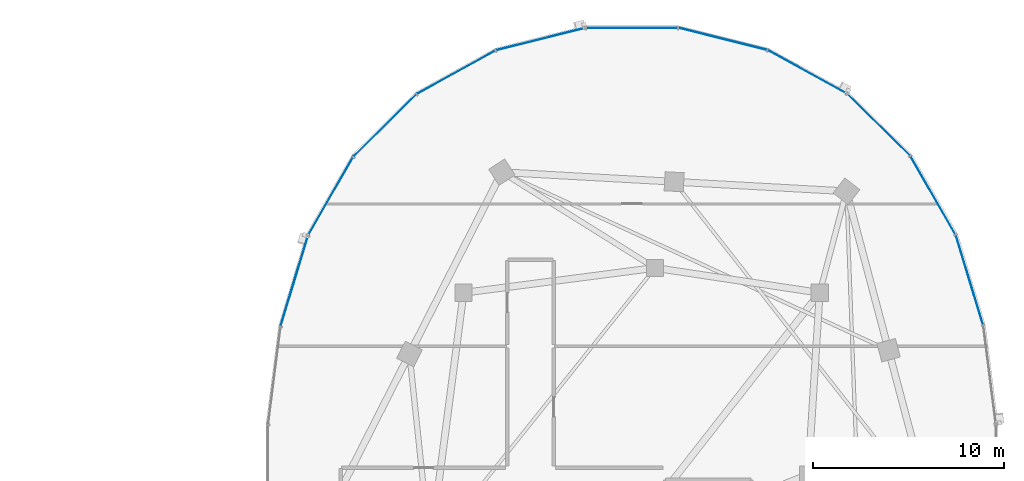
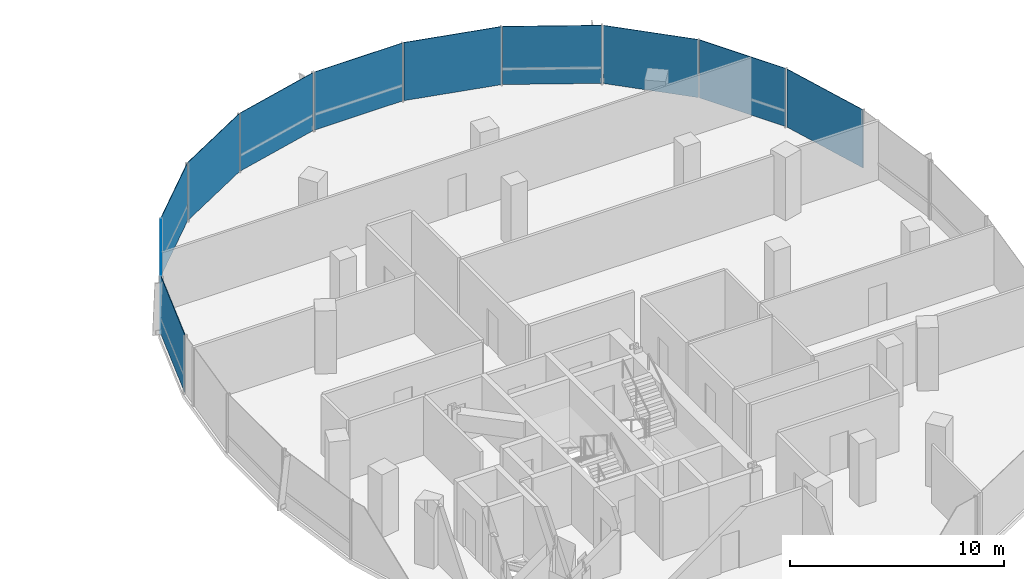
# One storey, part 11 of 23: 11 plates, 2 elements without a shape of their own.
"""IFC4 building model written with IfcOpenShell, lengths in metres."""

from ifc_helpers import new_model, si_unit, direction, frame, origin, origin_2d, place, context, subcontext, project, spatial, rectangle, extrude, material, layer, layer_set, type_object, element, aggregate, save


model = new_model("IFC4")

# Units and contexts
model_context = context("Model", 3, precision=1e-05, world=origin(), true_north=direction((0.0, 1.0)))
body_context = subcontext(model_context, "Body", "Model", "MODEL_VIEW")
ifc_project = project(units=[si_unit("LENGTHUNIT", "METRE"), si_unit("AREAUNIT", "SQUARE_METRE"), si_unit("VOLUMEUNIT", "CUBIC_METRE"), si_unit("PLANEANGLEUNIT", "RADIAN"), si_unit("MASSUNIT", "GRAM", prefix="KILO"), si_unit("THERMODYNAMICTEMPERATUREUNIT", "KELVIN"), si_unit("POWERUNIT", "WATT")], contexts=[model_context])

# Site, building, storey
site_placement = place(None, origin())
site = spatial("IfcSite", under=ifc_project, at=site_placement, CompositionType="ELEMENT")
building_placement = place(site_placement, origin())
building = spatial("IfcBuilding", under=site, at=building_placement, Name="Cundina Bronze Exchange", CompositionType="ELEMENT")
storey_placement = place(building_placement, frame((0.0, 0.0, 169.199951171875)))
storey = spatial("IfcBuildingStorey", under=building, at=storey_placement, Name="L44", CompositionType="ELEMENT", Elevation=169.199951171875)

# Curtain wall, plates
ifc_material_1 = material(Name="Anodised Bronze Aluminium 6063-T6", Category="aluminium")
curtain_wall_type = type_object("IfcCurtainWallType", Name="CWS-WST-PIN", PredefinedType="NOTDEFINED", material=ifc_material_1)
curtain_wall_1_placement = place(storey_placement, origin())
curtain_wall_1 = element("IfcCurtainWall", 1, at=curtain_wall_1_placement, inside=storey, type_object=curtain_wall_type, Name="L44 CW-04 Curtain Wall Run CWR-L44-E1", PredefinedType="NOTDEFINED")
ifc_material_2 = material(Name="Heat-Strengthened Solar-Control Bronze Safety Glass 28mm", Category="glass")
ifc_layer_1 = layer(ifc_material_2, 0.028076171875, Name="Heat-Strengthened Solar-Control Bronze Safety Glass 28mm", Category="glass")
ifc_layer_set_1 = layer_set([ifc_layer_1], Name="Heat-Strengthened Solar-Control Bronze Safety Glass 28mm")
plate_type_1 = type_object("IfcPlateType", Name="PLT-GLZ-VIS28", PredefinedType="CURTAIN_PANEL", material=ifc_layer_set_1)
plate_1_placement = place(storey_placement, frame((49.63330078125, 10.14208984375, 0.02001953125), z_axis=(0.0, 0.0, 1.0), x_axis=(-0.290050843957, 0.957011237092, 0.0)))
plate_1 = element("IfcPlate", 2, at=plate_1_placement, type_object=plate_type_1, Name="CW-04 Glazed Panel 2", PredefinedType="CURTAIN_PANEL", context=body_context, shape_type="SweptSolid", body=[
    extrude(rectangle(XDim=4.885009765625, YDim=0.028076171875, at=origin_2d()), origin(), (0.0, 0.0, 1.0), 3.320068359375),
])
plate_2_placement = place(storey_placement, frame((47.734375, 14.564697265625, 0.02001953125), z_axis=(0.0, 0.0, 1.0), x_axis=(-0.498487739754, 0.866896748936, 0.0)))
plate_2 = element("IfcPlate", 3, at=plate_2_placement, type_object=plate_type_1, Name="CW-04 Glazed Panel 3", PredefinedType="CURTAIN_PANEL", context=body_context, shape_type="SweptSolid", body=[
    extrude(rectangle(XDim=4.676513671875, YDim=0.028076171875, at=origin_2d()), origin(), (0.0, 0.0, 1.0), 3.320068359375),
])
plate_3_placement = place(storey_placement, frame((44.894775390625, 18.253662109375, 0.02001953125), z_axis=(0.0, 0.0, 1.0), x_axis=(-0.711989280367, 0.702190333629, 0.0)))
plate_3 = element("IfcPlate", 4, at=plate_3_placement, type_object=plate_type_1, Name="CW-04 Glazed Panel 4", PredefinedType="CURTAIN_PANEL", context=body_context, shape_type="SweptSolid", body=[
    extrude(rectangle(XDim=4.6025390625, YDim=0.028076171875, at=origin_2d()), origin(), (0.0, 0.0, 1.0), 3.320068359375),
])
plate_4_placement = place(storey_placement, frame((41.16845703125, 21.02880859375, 0.02001953125), z_axis=(0.0, 0.0, 1.0), x_axis=(-0.875869093438, 0.482548786301, 0.0)))
plate_4 = element("IfcPlate", 5, at=plate_4_placement, type_object=plate_type_1, Name="CW-04 Glazed Panel 5", PredefinedType="CURTAIN_PANEL", context=body_context, shape_type="SweptSolid", body=[
    extrude(rectangle(XDim=4.661865234375, YDim=0.028076171875, at=origin_2d()), origin(), (0.0, 0.0, 1.0), 3.320068359375),
])
plate_5_placement = place(storey_placement, frame((32.0, 23.3369140625, 0.02001953125), z_axis=(0.0, 0.0, 1.0), x_axis=(-1.0, 0.0, 0.0)))
plate_5 = element("IfcPlate", 6, at=plate_5_placement, type_object=plate_type_1, Name="CW-04 Glazed Panel 7", PredefinedType="CURTAIN_PANEL", context=body_context, shape_type="SweptSolid", body=[
    extrude(rectangle(XDim=4.7958984375, YDim=0.028076171875, at=origin_2d()), origin(), (0.0, 0.0, 1.0), 3.320068359375),
])

curtain_wall_2_placement = place(storey_placement, origin())
curtain_wall_2 = element("IfcCurtainWall", 7, at=curtain_wall_2_placement, inside=storey, type_object=curtain_wall_type, Name="L44 CW-04 Curtain Wall Run CWR-L44-E2", PredefinedType="NOTDEFINED")
plate_6_placement = place(storey_placement, frame((27.23486328125, 22.75244140625, 0.02001953125), z_axis=(0.0, 0.0, 1.0), x_axis=(-0.970092713791, -0.242734683656, 0.0)))
plate_6 = element("IfcPlate", 8, at=plate_6_placement, type_object=plate_type_1, Name="CW-04 Glazed Panel 1", PredefinedType="CURTAIN_PANEL", context=body_context, shape_type="SweptSolid", body=[
    extrude(rectangle(XDim=4.7548828125, YDim=0.028076171875, at=origin_2d()), origin(), (0.0, 0.0, 1.0), 3.320068359375),
])
plate_7_placement = place(storey_placement, frame((22.83154296875, 21.02880859375, 0.02001953125), z_axis=(0.0, 0.0, 1.0), x_axis=(-0.875869093438, -0.482548786301, 0.0)))
plate_7 = element("IfcPlate", 9, at=plate_7_placement, type_object=plate_type_1, Name="CW-04 Glazed Panel 2", PredefinedType="CURTAIN_PANEL", context=body_context, shape_type="SweptSolid", body=[
    extrude(rectangle(XDim=4.661865234375, YDim=0.028076171875, at=origin_2d()), origin(), (0.0, 0.0, 1.0), 3.320068359375),
])
plate_8_placement = place(storey_placement, frame((19.105224609375, 18.253662109375, 0.02001953125), z_axis=(0.0, 0.0, 1.0), x_axis=(-0.711989280367, -0.702190333629, 0.0)))
plate_8 = element("IfcPlate", 10, at=plate_8_placement, type_object=plate_type_1, Name="CW-04 Glazed Panel 3", PredefinedType="CURTAIN_PANEL", context=body_context, shape_type="SweptSolid", body=[
    extrude(rectangle(XDim=4.6025390625, YDim=0.028076171875, at=origin_2d()), origin(), (0.0, 0.0, 1.0), 3.320068359375),
])
plate_9_placement = place(storey_placement, frame((16.265625, 14.564697265625, 0.02001953125), z_axis=(0.0, 0.0, 1.0), x_axis=(-0.498487739754, -0.866896748936, 0.0)))
plate_9 = element("IfcPlate", 11, at=plate_9_placement, type_object=plate_type_1, Name="CW-04 Glazed Panel 4", PredefinedType="CURTAIN_PANEL", context=body_context, shape_type="SweptSolid", body=[
    extrude(rectangle(XDim=4.676513671875, YDim=0.028076171875, at=origin_2d()), origin(), (0.0, 0.0, 1.0), 3.320068359375),
])

# Plate
ifc_material_3 = material(Name="Dark Bronze Spandrel Glass Panel 32mm", Category="glass")
ifc_layer_2 = layer(ifc_material_3, 0.031982421875, Name="Dark Bronze Spandrel Glass Panel 32mm", Category="glass")
ifc_layer_set_2 = layer_set([ifc_layer_2], Name="Dark Bronze Spandrel Glass Panel 32mm")
plate_type_2 = type_object("IfcPlateType", Name="PLT-SPN-BRZ32", PredefinedType="CURTAIN_PANEL", material=ifc_layer_set_2)
plate_10_placement = place(storey_placement, frame((36.76513671875, 22.75244140625, 0.02001953125), z_axis=(0.0, 0.0, 1.0), x_axis=(-0.970092713791, 0.242734683656, 0.0)))
plate_10 = element("IfcPlate", 12, at=plate_10_placement, type_object=plate_type_2, Name="CW-04 Glazed Panel 6", PredefinedType="CURTAIN_PANEL", context=body_context, shape_type="SweptSolid", body=[
    extrude(rectangle(XDim=4.7548828125, YDim=0.031982421875, at=origin_2d()), origin(), (0.0, 0.0, 1.0), 3.320068359375),
])

aggregate(curtain_wall_1, [plate_1, plate_2, plate_3, plate_4, plate_10, plate_5])

plate_11_placement = place(storey_placement, frame((14.36669921875, 10.14208984375, 0.02001953125), z_axis=(0.0, 0.0, 1.0), x_axis=(-0.290050843957, -0.957011237092, 0.0)))
plate_11 = element("IfcPlate", 13, at=plate_11_placement, type_object=plate_type_2, Name="CW-04 Glazed Panel 5", PredefinedType="CURTAIN_PANEL", context=body_context, shape_type="SweptSolid", body=[
    extrude(rectangle(XDim=4.885009765625, YDim=0.031982421875, at=origin_2d()), origin(), (0.0, 0.0, 1.0), 3.320068359375),
])

aggregate(curtain_wall_2, [plate_6, plate_7, plate_8, plate_9, plate_11])

save(model, "model.ifc")
